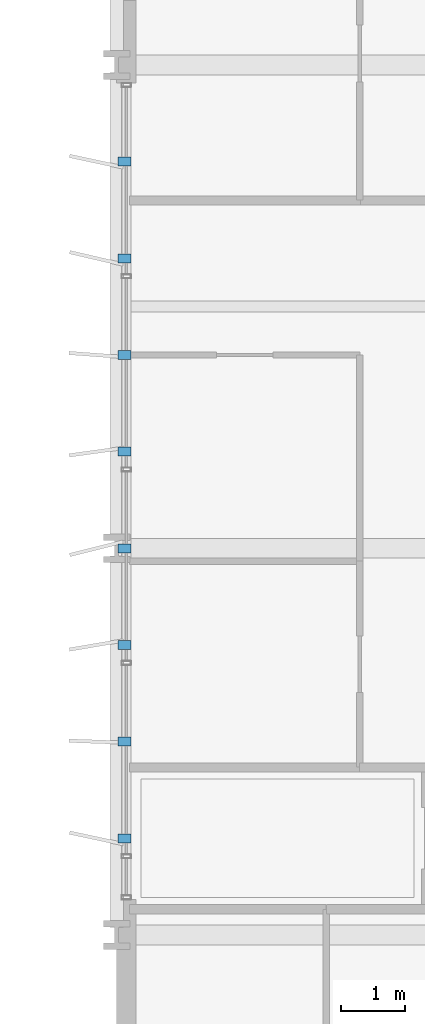
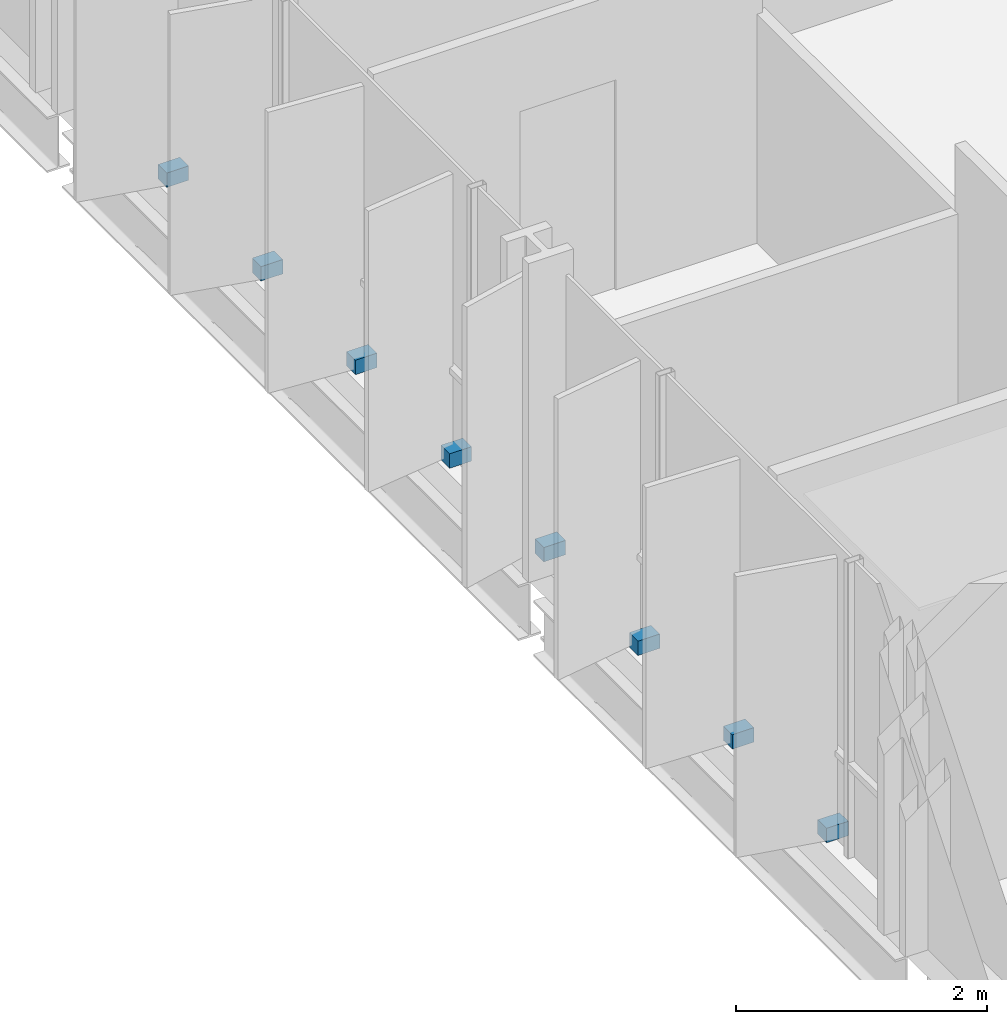
# One storey, part 33 of 38: 8 discrete accessories.
"""IFC4 building model written with IfcOpenShell, lengths in metres."""

from ifc_helpers import new_model, si_unit, direction, frame, origin, origin_2d, place, context, subcontext, project, spatial, rectangle, extrude, material, type_object, element, save


model = new_model("IFC4")

# Units and contexts
model_context = context("Model", 3, precision=1e-05, world=origin(), true_north=direction((0.0, 1.0)))
body_context = subcontext(model_context, "Body", "Model", "MODEL_VIEW")
ifc_project = project(units=[si_unit("LENGTHUNIT", "METRE"), si_unit("AREAUNIT", "SQUARE_METRE"), si_unit("VOLUMEUNIT", "CUBIC_METRE"), si_unit("PLANEANGLEUNIT", "RADIAN"), si_unit("MASSUNIT", "GRAM", prefix="KILO")], contexts=[model_context])

# Site, building, storey
site_placement = place(None, origin())
site = spatial("IfcSite", under=ifc_project, at=site_placement, CompositionType="ELEMENT")
building_placement = place(site_placement, origin())
building = spatial("IfcBuilding", under=site, at=building_placement, Name="Brevholm Reach", CompositionType="ELEMENT")
storey_placement = place(building_placement, frame((0.0, 0.0, 28.0)))
storey = spatial("IfcBuildingStorey", under=building, at=storey_placement, Name="L06", CompositionType="ELEMENT", Elevation=28.0)

# Discrete accessories
ifc_material = material(Name="Duplex Stainless Steel EN 1.4462", Category="steel")
discrete_accessory_type = type_object("IfcDiscreteAccessoryType", Name="ACC-BRK-01", PredefinedType="BRACKET", material=ifc_material)
for number, where, z_axis, x_axis, name in (
    (1, (0.1201171875, 11.5, 0.0302734375), (0.0, 0.0, 1.0), (-1.0, 0.0, 0.0), "L06 Solar Screen Support Bracket 1"),
    (2, (0.1201171875, 13.0, 0.0302734375), (0.0, 0.0, 1.0), (-1.0, 0.0, 0.0), "L06 Solar Screen Support Bracket 2"),
    (3, (0.1201171875, 14.5, 0.0302734375), (0.0, 0.0, 1.0), (-1.0, 0.0, 0.0), "L06 Solar Screen Support Bracket 3"),
    (4, (0.1201171875, 16.0, 0.0302734375), (0.0, 0.0, 1.0), (-1.0, 0.0, 0.0), "L06 Solar Screen Support Bracket 4"),
    (5, (0.1201171875, 17.5, 0.0302734375), (0.0, 0.0, 1.0), (-1.0, 0.0, 0.0), "L06 Solar Screen Support Bracket 5"),
    (6, (0.1201171875, 19.0, 0.0302734375), (0.0, 0.0, 1.0), (-1.0, 0.0, 0.0), "L06 Solar Screen Support Bracket 6"),
    (7, (0.1201171875, 20.5, 0.0302734375), (0.0, 0.0, 1.0), (-1.0, 0.0, 0.0), "L06 Solar Screen Support Bracket 7"),
    (8, (0.1201171875, 22.0, 0.0302734375), (0.0, 0.0, 1.0), (-1.0, 0.0, 0.0), "L06 Solar Screen Support Bracket 8"),
):
    element("IfcDiscreteAccessory", number, at=place(storey_placement, frame(where, z_axis=z_axis, x_axis=x_axis)), inside=storey, type_object=discrete_accessory_type, Name=name, PredefinedType="BRACKET", context=body_context, shape_type="SweptSolid", body=[
        extrude(rectangle(XDim=0.199951171875, YDim=0.139892578125, at=origin_2d()), origin(), (0.0, 0.0, 1.0), 0.139892578125),
    ])

save(model, "model.ifc")
